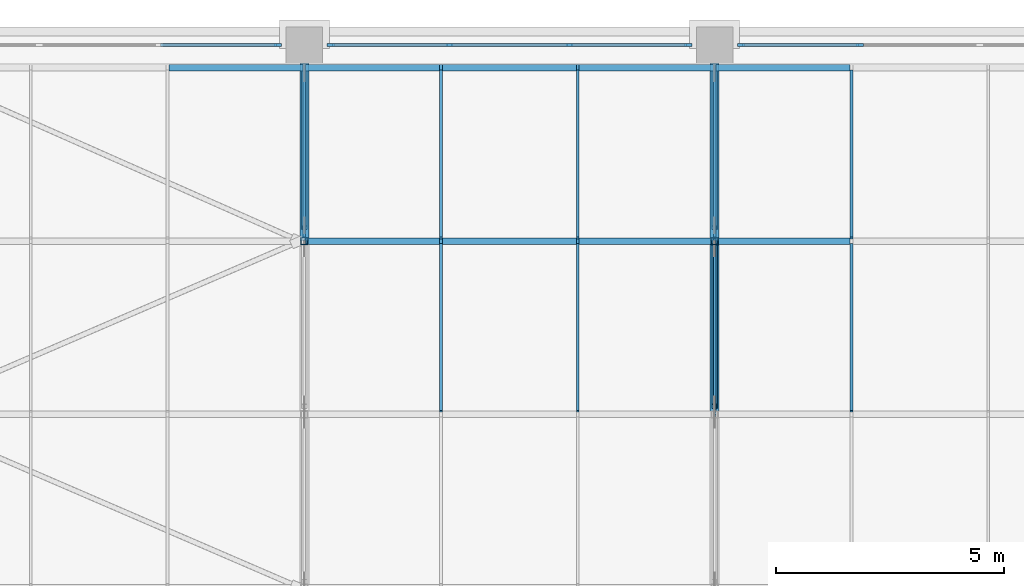
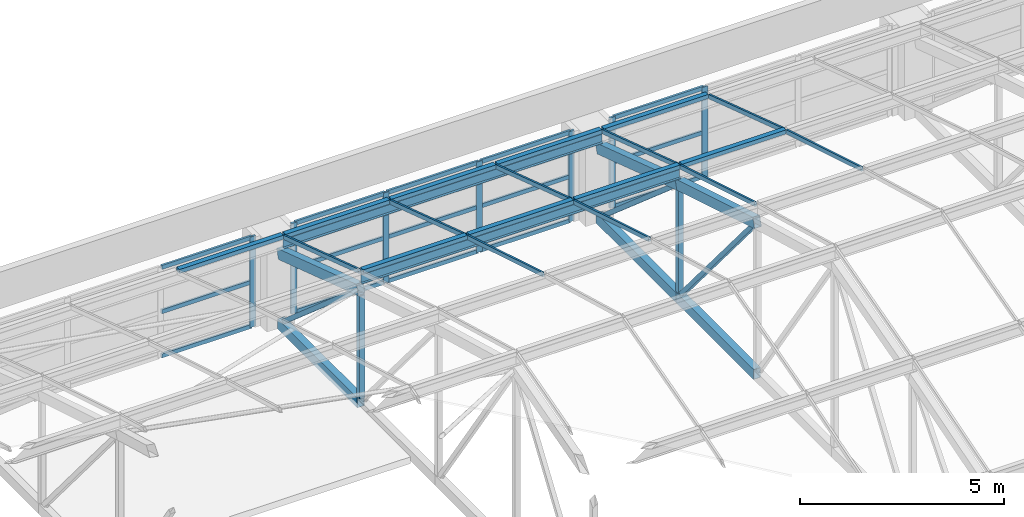
# One storey, part 20 of 82: 53 members, 4 elements without a shape of their own.
"""IFC4 building model written with IfcOpenShell, lengths in metres."""

from ifc_helpers import new_model, si_unit, direction, frame, origin, origin_2d, place, context, subcontext, project, spatial, rectangle, hollow_rectangle, i_section, extrude, material, material_profile, profile_set, type_object, element, aggregate, save


model = new_model("IFC4")

# Units and contexts
model_context = context("Model", 3, precision=1e-05, world=origin(), true_north=direction((0.0, 1.0)))
body_context = subcontext(model_context, "Body", "Model", "MODEL_VIEW")
ifc_project = project(units=[si_unit("LENGTHUNIT", "METRE"), si_unit("AREAUNIT", "SQUARE_METRE"), si_unit("VOLUMEUNIT", "CUBIC_METRE"), si_unit("PLANEANGLEUNIT", "RADIAN"), si_unit("MASSUNIT", "GRAM", prefix="KILO")], contexts=[model_context])

# Site, building, storey
site_placement = place(None, origin())
site = spatial("IfcSite", under=ifc_project, at=site_placement, CompositionType="ELEMENT")
building_placement = place(site_placement, origin())
building = spatial("IfcBuilding", under=site, at=building_placement, Name="Aravalli Gate Trade Fair Centre", CompositionType="ELEMENT")
storey_placement = place(building_placement, frame((0.0, 0.0, 19.199951171875)))
storey = spatial("IfcBuildingStorey", under=building, at=storey_placement, Name="L04", CompositionType="ELEMENT", Elevation=19.199951171875)

# Curtain wall, member
ifc_material_1 = material(Name="Aluminium and glass", Category="aluminium")
curtain_wall_type_1 = type_object("IfcCurtainWallType", Name="Curtain wall 3000 module", PredefinedType="NOTDEFINED", material=ifc_material_1)
curtain_wall_1_placement = place(storey_placement, origin())
curtain_wall_1 = element("IfcCurtainWall", 1, at=curtain_wall_1_placement, inside=storey, type_object=curtain_wall_type_1, Name="Curtain wall north bay 8 L04", PredefinedType="NOTDEFINED")
ifc_material_2 = material(Name="Aluminium", Category="aluminium")
ifc_material_profile_1 = material_profile(ifc_material_2, rectangle(XDim=0.06005859375, YDim=0.159912109375, at=origin_2d()), Name="Concourse curtain wall mullion 60 x 160")
ifc_profile_set_1 = profile_set([ifc_material_profile_1], Name="Aluminium")
member_type_1 = type_object("IfcMemberType", Name="Concourse curtain wall mullion 60 x 160", PredefinedType="MULLION", material=ifc_profile_set_1)
member_1_placement = place(storey_placement, frame((77.419921875, 133.0, 0.0), z_axis=(0.0, 0.0, 1.0), x_axis=(0.0, 1.0, 0.0)))
member_1 = element("IfcMember", 2, at=member_1_placement, type_object=member_type_1, Name="CW1 mullion 4", PredefinedType="MULLION", context=body_context, shape_type="SweptSolid", body=[
    extrude(rectangle(XDim=0.06005859375, YDim=0.159912109375, at=origin_2d()), origin(), (0.0, 0.0, 1.0), 2.699951171875),
])

# Curtain wall, members
curtain_wall_2_placement = place(storey_placement, origin())
curtain_wall_2 = element("IfcCurtainWall", 3, at=curtain_wall_2_placement, inside=storey, type_object=curtain_wall_type_1, Name="Curtain wall north bay 9 L04", PredefinedType="NOTDEFINED")
member_2_placement = place(storey_placement, frame((78.580078125, 133.0, 0.0), z_axis=(0.0, 0.0, 1.0), x_axis=(0.0, 1.0, 0.0)))
member_2 = element("IfcMember", 4, at=member_2_placement, type_object=member_type_1, Name="CW1 mullion 1", PredefinedType="MULLION", context=body_context, shape_type="SweptSolid", body=[
    extrude(rectangle(XDim=0.06005859375, YDim=0.159912109375, at=origin_2d()), origin(), (0.0, 0.0, 1.0), 2.699951171875),
])
member_3_placement = place(storey_placement, frame((81.183349609375, 133.0, 0.0), z_axis=(0.0, 0.0, 1.0), x_axis=(0.0, 1.0, 0.0)))
member_3 = element("IfcMember", 5, at=member_3_placement, type_object=member_type_1, Name="CW1 mullion 2", PredefinedType="MULLION", context=body_context, shape_type="SweptSolid", body=[
    extrude(rectangle(XDim=0.06005859375, YDim=0.159912109375, at=origin_2d()), origin(), (0.0, 0.0, 1.0), 2.699951171875),
])
member_4_placement = place(storey_placement, frame((83.816650390625, 133.0, 0.0), z_axis=(0.0, 0.0, 1.0), x_axis=(0.0, 1.0, 0.0)))
member_4 = element("IfcMember", 6, at=member_4_placement, type_object=member_type_1, Name="CW1 mullion 3", PredefinedType="MULLION", context=body_context, shape_type="SweptSolid", body=[
    extrude(rectangle(XDim=0.06005859375, YDim=0.159912109375, at=origin_2d()), origin(), (0.0, 0.0, 1.0), 2.699951171875),
])
member_5_placement = place(storey_placement, frame((86.419921875, 133.0, 0.0), z_axis=(0.0, 0.0, 1.0), x_axis=(0.0, 1.0, 0.0)))
member_5 = element("IfcMember", 7, at=member_5_placement, type_object=member_type_1, Name="CW1 mullion 4", PredefinedType="MULLION", context=body_context, shape_type="SweptSolid", body=[
    extrude(rectangle(XDim=0.06005859375, YDim=0.159912109375, at=origin_2d()), origin(), (0.0, 0.0, 1.0), 2.699951171875),
])

curtain_wall_3_placement = place(storey_placement, origin())
curtain_wall_3 = element("IfcCurtainWall", 8, at=curtain_wall_3_placement, inside=storey, type_object=curtain_wall_type_1, Name="Curtain wall north bay 10 L04", PredefinedType="NOTDEFINED")
member_6_placement = place(storey_placement, frame((87.580078125, 133.0, 0.0), z_axis=(0.0, 0.0, 1.0), x_axis=(0.0, 1.0, 0.0)))
member_6 = element("IfcMember", 9, at=member_6_placement, type_object=member_type_1, Name="CW1 mullion 1", PredefinedType="MULLION", context=body_context, shape_type="SweptSolid", body=[
    extrude(rectangle(XDim=0.06005859375, YDim=0.159912109375, at=origin_2d()), origin(), (0.0, 0.0, 1.0), 2.699951171875),
])
member_7_placement = place(storey_placement, frame((90.183349609375, 133.0, 0.0), z_axis=(0.0, 0.0, 1.0), x_axis=(0.0, 1.0, 0.0)))
member_7 = element("IfcMember", 10, at=member_7_placement, type_object=member_type_1, Name="CW1 mullion 2", PredefinedType="MULLION", context=body_context, shape_type="SweptSolid", body=[
    extrude(rectangle(XDim=0.06005859375, YDim=0.159912109375, at=origin_2d()), origin(), (0.0, 0.0, 1.0), 2.699951171875),
])

# Member
ifc_material_profile_2 = material_profile(ifc_material_2, rectangle(XDim=0.06005859375, YDim=0.1201171875, at=origin_2d()), Name="Concourse curtain wall transom 60 x 120")
ifc_profile_set_2 = profile_set([ifc_material_profile_2], Name="Aluminium")
member_type_2 = type_object("IfcMemberType", Name="Concourse curtain wall transom 60 x 120", PredefinedType="USERDEFINED", material=ifc_profile_set_2)
member_8_placement = place(storey_placement, frame((74.8466796875, 133.0, 0.030029296875), z_axis=(1.0, 0.0, 0.0), x_axis=(0.0, 1.0, 0.0)))
member_8 = element("IfcMember", 11, at=member_8_placement, type_object=member_type_2, Name="CW1 transom 3.1", ObjectType="TRANSOM", PredefinedType="USERDEFINED", context=body_context, shape_type="SweptSolid", body=[
    extrude(rectangle(XDim=0.06005859375, YDim=0.1201171875, at=origin_2d()), origin(), (0.0, 0.0, 1.0), 2.543212890625),
])

member_9_placement = place(storey_placement, frame((74.8466796875, 133.0, 1.35009765625), z_axis=(1.0, 0.0, 0.0), x_axis=(0.0, 1.0, 0.0)))
member_9 = element("IfcMember", 12, at=member_9_placement, type_object=member_type_2, Name="CW1 transom 3.2", ObjectType="TRANSOM", PredefinedType="USERDEFINED", context=body_context, shape_type="SweptSolid", body=[
    extrude(rectangle(XDim=0.06005859375, YDim=0.1201171875, at=origin_2d()), origin(), (0.0, 0.0, 1.0), 2.543212890625),
])

member_10_placement = place(storey_placement, frame((74.8466796875, 133.0, 2.670166015625), z_axis=(1.0, 0.0, 0.0), x_axis=(0.0, 1.0, 0.0)))
member_10 = element("IfcMember", 13, at=member_10_placement, type_object=member_type_2, Name="CW1 transom 3.3", ObjectType="TRANSOM", PredefinedType="USERDEFINED", context=body_context, shape_type="SweptSolid", body=[
    extrude(rectangle(XDim=0.06005859375, YDim=0.1201171875, at=origin_2d()), origin(), (0.0, 0.0, 1.0), 2.543212890625),
])

aggregate(curtain_wall_1, [member_1, member_8, member_9, member_10])

member_11_placement = place(storey_placement, frame((78.610107421875, 133.0, 0.030029296875), z_axis=(1.0, 0.0, 0.0), x_axis=(0.0, 1.0, 0.0)))
member_11 = element("IfcMember", 14, at=member_11_placement, type_object=member_type_2, Name="CW1 transom 1.1", ObjectType="TRANSOM", PredefinedType="USERDEFINED", context=body_context, shape_type="SweptSolid", body=[
    extrude(rectangle(XDim=0.06005859375, YDim=0.1201171875, at=origin_2d()), origin(), (0.0, 0.0, 1.0), 2.543212890625),
])

member_12_placement = place(storey_placement, frame((78.610107421875, 133.0, 1.35009765625), z_axis=(1.0, 0.0, 0.0), x_axis=(0.0, 1.0, 0.0)))
member_12 = element("IfcMember", 15, at=member_12_placement, type_object=member_type_2, Name="CW1 transom 1.2", ObjectType="TRANSOM", PredefinedType="USERDEFINED", context=body_context, shape_type="SweptSolid", body=[
    extrude(rectangle(XDim=0.06005859375, YDim=0.1201171875, at=origin_2d()), origin(), (0.0, 0.0, 1.0), 2.543212890625),
])

member_13_placement = place(storey_placement, frame((78.610107421875, 133.0, 2.670166015625), z_axis=(1.0, 0.0, 0.0), x_axis=(0.0, 1.0, 0.0)))
member_13 = element("IfcMember", 16, at=member_13_placement, type_object=member_type_2, Name="CW1 transom 1.3", ObjectType="TRANSOM", PredefinedType="USERDEFINED", context=body_context, shape_type="SweptSolid", body=[
    extrude(rectangle(XDim=0.06005859375, YDim=0.1201171875, at=origin_2d()), origin(), (0.0, 0.0, 1.0), 2.543212890625),
])

member_14_placement = place(storey_placement, frame((81.21337890625, 133.0, 0.030029296875), z_axis=(1.0, 0.0, 0.0), x_axis=(0.0, 1.0, 0.0)))
member_14 = element("IfcMember", 17, at=member_14_placement, type_object=member_type_2, Name="CW1 transom 2.1", ObjectType="TRANSOM", PredefinedType="USERDEFINED", context=body_context, shape_type="SweptSolid", body=[
    extrude(rectangle(XDim=0.06005859375, YDim=0.1201171875, at=origin_2d()), origin(), (0.0, 0.0, 1.0), 2.5732421875),
])

member_15_placement = place(storey_placement, frame((81.21337890625, 133.0, 1.35009765625), z_axis=(1.0, 0.0, 0.0), x_axis=(0.0, 1.0, 0.0)))
member_15 = element("IfcMember", 18, at=member_15_placement, type_object=member_type_2, Name="CW1 transom 2.2", ObjectType="TRANSOM", PredefinedType="USERDEFINED", context=body_context, shape_type="SweptSolid", body=[
    extrude(rectangle(XDim=0.06005859375, YDim=0.1201171875, at=origin_2d()), origin(), (0.0, 0.0, 1.0), 2.5732421875),
])

member_16_placement = place(storey_placement, frame((81.21337890625, 133.0, 2.670166015625), z_axis=(1.0, 0.0, 0.0), x_axis=(0.0, 1.0, 0.0)))
member_16 = element("IfcMember", 19, at=member_16_placement, type_object=member_type_2, Name="CW1 transom 2.3", ObjectType="TRANSOM", PredefinedType="USERDEFINED", context=body_context, shape_type="SweptSolid", body=[
    extrude(rectangle(XDim=0.06005859375, YDim=0.1201171875, at=origin_2d()), origin(), (0.0, 0.0, 1.0), 2.5732421875),
])

member_17_placement = place(storey_placement, frame((83.8466796875, 133.0, 0.030029296875), z_axis=(1.0, 0.0, 0.0), x_axis=(0.0, 1.0, 0.0)))
member_17 = element("IfcMember", 20, at=member_17_placement, type_object=member_type_2, Name="CW1 transom 3.1", ObjectType="TRANSOM", PredefinedType="USERDEFINED", context=body_context, shape_type="SweptSolid", body=[
    extrude(rectangle(XDim=0.06005859375, YDim=0.1201171875, at=origin_2d()), origin(), (0.0, 0.0, 1.0), 2.543212890625),
])

member_18_placement = place(storey_placement, frame((83.8466796875, 133.0, 1.35009765625), z_axis=(1.0, 0.0, 0.0), x_axis=(0.0, 1.0, 0.0)))
member_18 = element("IfcMember", 21, at=member_18_placement, type_object=member_type_2, Name="CW1 transom 3.2", ObjectType="TRANSOM", PredefinedType="USERDEFINED", context=body_context, shape_type="SweptSolid", body=[
    extrude(rectangle(XDim=0.06005859375, YDim=0.1201171875, at=origin_2d()), origin(), (0.0, 0.0, 1.0), 2.543212890625),
])

member_19_placement = place(storey_placement, frame((83.8466796875, 133.0, 2.670166015625), z_axis=(1.0, 0.0, 0.0), x_axis=(0.0, 1.0, 0.0)))
member_19 = element("IfcMember", 22, at=member_19_placement, type_object=member_type_2, Name="CW1 transom 3.3", ObjectType="TRANSOM", PredefinedType="USERDEFINED", context=body_context, shape_type="SweptSolid", body=[
    extrude(rectangle(XDim=0.06005859375, YDim=0.1201171875, at=origin_2d()), origin(), (0.0, 0.0, 1.0), 2.543212890625),
])

aggregate(curtain_wall_2, [member_2, member_3, member_4, member_5, member_11, member_12, member_13, member_14, member_15, member_16, member_17, member_18, member_19])

member_20_placement = place(storey_placement, frame((87.610107421875, 133.0, 0.030029296875), z_axis=(1.0, 0.0, 0.0), x_axis=(0.0, 1.0, 0.0)))
member_20 = element("IfcMember", 23, at=member_20_placement, type_object=member_type_2, Name="CW1 transom 1.1", ObjectType="TRANSOM", PredefinedType="USERDEFINED", context=body_context, shape_type="SweptSolid", body=[
    extrude(rectangle(XDim=0.06005859375, YDim=0.1201171875, at=origin_2d()), origin(), (0.0, 0.0, 1.0), 2.543212890625),
])

member_21_placement = place(storey_placement, frame((87.610107421875, 133.0, 1.35009765625), z_axis=(1.0, 0.0, 0.0), x_axis=(0.0, 1.0, 0.0)))
member_21 = element("IfcMember", 24, at=member_21_placement, type_object=member_type_2, Name="CW1 transom 1.2", ObjectType="TRANSOM", PredefinedType="USERDEFINED", context=body_context, shape_type="SweptSolid", body=[
    extrude(rectangle(XDim=0.06005859375, YDim=0.1201171875, at=origin_2d()), origin(), (0.0, 0.0, 1.0), 2.543212890625),
])

member_22_placement = place(storey_placement, frame((87.610107421875, 133.0, 2.670166015625), z_axis=(1.0, 0.0, 0.0), x_axis=(0.0, 1.0, 0.0)))
member_22 = element("IfcMember", 25, at=member_22_placement, type_object=member_type_2, Name="CW1 transom 1.3", ObjectType="TRANSOM", PredefinedType="USERDEFINED", context=body_context, shape_type="SweptSolid", body=[
    extrude(rectangle(XDim=0.06005859375, YDim=0.1201171875, at=origin_2d()), origin(), (0.0, 0.0, 1.0), 2.543212890625),
])

aggregate(curtain_wall_3, [member_6, member_7, member_20, member_21, member_22])

# Members
ifc_material_3 = material(Name="Steel E350", Category="steel")
ifc_material_profile_3 = material_profile(ifc_material_3, i_section(OverallWidth=0.139892578125, OverallDepth=0.300048828125, WebThickness=0.0078125, FlangeThickness=0.01318359375, at=origin_2d()), Name="ISMB 300")
ifc_profile_set_3 = profile_set([ifc_material_profile_3], Name="Steel E350")
member_type_3 = type_object("IfcMemberType", Name="ISMB 300 roof purlin", PredefinedType="PURLIN", material=ifc_profile_set_3)
for number, where, z_axis, x_axis, name in (
    (26, (78.0, 128.699951171875, 3.851318359375), (1.0, 0.0, 0.0), (0.0, 1.0, 0.0), "Vault purlin 09-10 F5"),
    (27, (78.0, 132.5, 2.60302734375), (1.0, 0.0, 0.0), (0.0, 1.0, 0.0), "Vault purlin 09-10 F6"),
):
    element("IfcMember", number, at=place(storey_placement, frame(where, z_axis=z_axis, x_axis=x_axis)), inside=storey, type_object=member_type_3, Name=name, PredefinedType="PURLIN", context=body_context, shape_type="SweptSolid", body=[
        extrude(i_section(OverallWidth=0.139892578125, OverallDepth=0.300048828125, WebThickness=0.0078125, FlangeThickness=0.01318359375, at=origin_2d()), origin(), (0.0, 0.0, 1.0), 9.0),
    ])
ifc_material_profile_4 = material_profile(ifc_material_3, hollow_rectangle(XDim=0.199951171875, YDim=0.300048828125, WallThickness=0.011962890625, at=origin_2d()), Name="RHS 300x200x12")
ifc_profile_set_4 = profile_set([ifc_material_profile_4], Name="Steel E350")
member_type_4 = type_object("IfcMemberType", Name="RHS 300x200x12 CT1 truss chord", PredefinedType="CHORD", material=ifc_profile_set_4)
member_23_placement = place(storey_placement, frame((78.0, 128.699951171875, 3.522216796875), z_axis=(0.0, 0.949924628731, -0.312479118872), x_axis=(-1.0, 0.0, 0.0)))
element("IfcMember", 28, at=member_23_placement, inside=storey, type_object=member_type_4, Name="Concourse vault truss CT1 line 09 top chord T6", PredefinedType="CHORD", context=body_context, shape_type="SweptSolid", body=[
    extrude(hollow_rectangle(XDim=0.199951171875, YDim=0.300048828125, WallThickness=0.011962890625, at=origin_2d()), origin(), (0.0, 0.0, 1.0), 4.105712890625),
])
member_24_placement = place(storey_placement, frame((78.0, 128.699951171875, 0.150146484375), z_axis=(0.0, 1.0, 0.0), x_axis=(-1.0, 0.0, 0.0)))
element("IfcMember", 29, at=member_24_placement, inside=storey, type_object=member_type_4, Name="Concourse vault truss CT1 line 09 bottom chord B6", PredefinedType="CHORD", context=body_context, shape_type="SweptSolid", body=[
    extrude(hollow_rectangle(XDim=0.199951171875, YDim=0.300048828125, WallThickness=0.011962890625, at=origin_2d()), origin(), (0.0, 0.0, 1.0), 3.900146484375),
])
member_25_placement = place(storey_placement, frame((87.0, 124.89990234375, 4.67333984375), z_axis=(0.0, 0.957138110877, -0.289631898634), x_axis=(-1.0, 0.0, 0.0)))
element("IfcMember", 30, at=member_25_placement, inside=storey, type_object=member_type_4, Name="Concourse vault truss CT1 line 10 top chord T5", PredefinedType="CHORD", context=body_context, shape_type="SweptSolid", body=[
    extrude(hollow_rectangle(XDim=0.199951171875, YDim=0.300048828125, WallThickness=0.011962890625, at=origin_2d()), origin(), (0.0, 0.0, 1.0), 3.97021484375),
])
member_26_placement = place(storey_placement, frame((87.0, 124.89990234375, 0.150146484375), z_axis=(0.0, 1.0, 0.0), x_axis=(-1.0, 0.0, 0.0)))
element("IfcMember", 31, at=member_26_placement, inside=storey, type_object=member_type_4, Name="Concourse vault truss CT1 line 10 bottom chord B5", PredefinedType="CHORD", context=body_context, shape_type="SweptSolid", body=[
    extrude(hollow_rectangle(XDim=0.199951171875, YDim=0.300048828125, WallThickness=0.011962890625, at=origin_2d()), origin(), (0.0, 0.0, 1.0), 3.800048828125),
])
member_27_placement = place(storey_placement, frame((87.0, 128.699951171875, 3.522216796875), z_axis=(0.0, 0.949924628731, -0.312479118872), x_axis=(-1.0, 0.0, 0.0)))
element("IfcMember", 32, at=member_27_placement, inside=storey, type_object=member_type_4, Name="Concourse vault truss CT1 line 10 top chord T6", PredefinedType="CHORD", context=body_context, shape_type="SweptSolid", body=[
    extrude(hollow_rectangle(XDim=0.199951171875, YDim=0.300048828125, WallThickness=0.011962890625, at=origin_2d()), origin(), (0.0, 0.0, 1.0), 4.105712890625),
])
member_28_placement = place(storey_placement, frame((87.0, 128.699951171875, 0.150146484375), z_axis=(0.0, 1.0, 0.0), x_axis=(-1.0, 0.0, 0.0)))
element("IfcMember", 33, at=member_28_placement, inside=storey, type_object=member_type_4, Name="Concourse vault truss CT1 line 10 bottom chord B6", PredefinedType="CHORD", context=body_context, shape_type="SweptSolid", body=[
    extrude(hollow_rectangle(XDim=0.199951171875, YDim=0.300048828125, WallThickness=0.011962890625, at=origin_2d()), origin(), (0.0, 0.0, 1.0), 3.900146484375),
])
ifc_material_profile_5 = material_profile(ifc_material_3, hollow_rectangle(XDim=0.125, YDim=0.125, WallThickness=0.006103515625, at=origin_2d()), Name="SHS 125x125x6")
ifc_profile_set_5 = profile_set([ifc_material_profile_5], Name="Steel E350")
member_type_5 = type_object("IfcMemberType", Name="SHS 125x125x6 CT1 truss diagonal", PredefinedType="BRACE", material=ifc_profile_set_5)
member_29_placement = place(storey_placement, frame((78.0, 128.994873046875, 3.267333984375), z_axis=(0.0, 0.756430814482, -0.654073713661), x_axis=(-1.0, 0.0, 0.0)))
element("IfcMember", 34, at=member_29_placement, inside=storey, type_object=member_type_5, Name="Concourse vault truss CT1 line 09 diagonal D6", PredefinedType="BRACE", context=body_context, shape_type="SweptSolid", body=[
    extrude(hollow_rectangle(XDim=0.125, YDim=0.125, WallThickness=0.006103515625, at=origin_2d()), origin(), (0.0, 0.0, 1.0), 4.53662109375),
])
member_30_placement = place(storey_placement, frame((87.0, 125.076416015625, 4.463134765625), z_axis=(0.0, 0.643253159982, -0.765653558845), x_axis=(-1.0, 0.0, 0.0)))
element("IfcMember", 35, at=member_30_placement, inside=storey, type_object=member_type_5, Name="Concourse vault truss CT1 line 10 diagonal D5", PredefinedType="BRACE", context=body_context, shape_type="SweptSolid", body=[
    extrude(hollow_rectangle(XDim=0.125, YDim=0.125, WallThickness=0.006103515625, at=origin_2d()), origin(), (0.0, 0.0, 1.0), 5.437255859375),
])
member_31_placement = place(storey_placement, frame((87.0, 128.994873046875, 3.267333984375), z_axis=(0.0, 0.756430814482, -0.654073713661), x_axis=(-1.0, 0.0, 0.0)))
element("IfcMember", 36, at=member_31_placement, inside=storey, type_object=member_type_5, Name="Concourse vault truss CT1 line 10 diagonal D6", PredefinedType="BRACE", context=body_context, shape_type="SweptSolid", body=[
    extrude(hollow_rectangle(XDim=0.125, YDim=0.125, WallThickness=0.006103515625, at=origin_2d()), origin(), (0.0, 0.0, 1.0), 4.53662109375),
])
ifc_material_profile_6 = material_profile(ifc_material_3, hollow_rectangle(XDim=0.14990234375, YDim=0.14990234375, WallThickness=0.006103515625, at=origin_2d()), Name="SHS 150x150x6")
ifc_profile_set_6 = profile_set([ifc_material_profile_6], Name="Steel E350")
member_type_6 = type_object("IfcMemberType", Name="SHS 150x150x6 CT1 truss post", PredefinedType="POST", material=ifc_profile_set_6)
for number, where, z_axis, x_axis, name in (
    (37, (78.0, 128.699951171875, 0.300048828125), (0.0, 0.0, 1.0), (1.0, 0.0, 0.0), "Concourse vault truss CT1 line 09 post V5"),
    (38, (87.0, 128.699951171875, 0.300048828125), (0.0, 0.0, 1.0), (1.0, 0.0, 0.0), "Concourse vault truss CT1 line 10 post V5"),
):
    element("IfcMember", number, at=place(storey_placement, frame(where, z_axis=z_axis, x_axis=x_axis)), inside=storey, type_object=member_type_6, Name=name, PredefinedType="POST", context=body_context, shape_type="SweptSolid", body=[
        extrude(hollow_rectangle(XDim=0.14990234375, YDim=0.14990234375, WallThickness=0.006103515625, at=origin_2d()), origin(), (0.0, 0.0, 1.0), 3.064208984375),
    ])
ifc_material_profile_7 = material_profile(ifc_material_2, rectangle(XDim=0.139892578125, YDim=0.1201171875, at=origin_2d()), Name="Vault fold cap 140 x 120")
ifc_profile_set_7 = profile_set([ifc_material_profile_7], Name="Aluminium")
member_type_7 = type_object("IfcMemberType", Name="Vault fold cap 140 x 120", PredefinedType="USERDEFINED", material=ifc_profile_set_7)
for number, where, z_axis, x_axis, name in (
    (39, (75.030029296875, 132.5, 2.81298828125), (1.0, 0.0, 0.0), (0.0, 1.0, 0.0), "Vault fold cap w21.6"),
    (40, (78.030029296875, 128.699951171875, 4.061279296875), (1.0, 0.0, 0.0), (0.0, 1.0, 0.0), "Vault fold cap w22.5"),
    (41, (78.030029296875, 132.5, 2.81298828125), (1.0, 0.0, 0.0), (0.0, 1.0, 0.0), "Vault fold cap w22.6"),
    (42, (81.030029296875, 128.699951171875, 4.061279296875), (1.0, 0.0, 0.0), (0.0, 1.0, 0.0), "Vault fold cap w23.5"),
    (43, (81.030029296875, 132.5, 2.81298828125), (1.0, 0.0, 0.0), (0.0, 1.0, 0.0), "Vault fold cap w23.6"),
    (44, (84.030029296875, 128.699951171875, 4.061279296875), (1.0, 0.0, 0.0), (0.0, 1.0, 0.0), "Vault fold cap w24.5"),
    (45, (84.030029296875, 132.5, 2.81298828125), (1.0, 0.0, 0.0), (0.0, 1.0, 0.0), "Vault fold cap w24.6"),
    (46, (87.030029296875, 128.699951171875, 4.061279296875), (1.0, 0.0, 0.0), (0.0, 1.0, 0.0), "Vault fold cap w25.5"),
    (47, (87.030029296875, 132.5, 2.81298828125), (1.0, 0.0, 0.0), (0.0, 1.0, 0.0), "Vault fold cap w25.6"),
):
    element("IfcMember", number, at=place(storey_placement, frame(where, z_axis=z_axis, x_axis=x_axis)), inside=storey, type_object=member_type_7, Name=name, ObjectType="FOLD CAP", PredefinedType="USERDEFINED", context=body_context, shape_type="SweptSolid", body=[
        extrude(rectangle(XDim=0.139892578125, YDim=0.1201171875, at=origin_2d()), origin(), (0.0, 0.0, 1.0), 2.93994140625),
    ])

# Curtain wall, members
curtain_wall_type_2 = type_object("IfcCurtainWallType", Name="Vault curtain wall, sloped glazing", PredefinedType="NOTDEFINED", material=ifc_material_1)
curtain_wall_4_placement = place(storey_placement, origin())
curtain_wall_4 = element("IfcCurtainWall", 48, at=curtain_wall_4_placement, inside=storey, type_object=curtain_wall_type_2, Name="Vault curtain wall w", PredefinedType="NOTDEFINED")
ifc_material_profile_8 = material_profile(ifc_material_2, rectangle(XDim=0.06005859375, YDim=0.1201171875, at=origin_2d()), Name="Vault glazing bar 60 x 120")
ifc_profile_set_8 = profile_set([ifc_material_profile_8], Name="Aluminium")
member_type_8 = type_object("IfcMemberType", Name="Vault glazing bar 60 x 120", PredefinedType="USERDEFINED", material=ifc_profile_set_8)
member_32_placement = place(storey_placement, frame((78.0, 128.77001953125, 4.013916015625), z_axis=(0.0, 0.949930492103, -0.31246129388), x_axis=(-1.0, 0.0, 0.0)))
member_32 = element("IfcMember", 49, at=member_32_placement, type_object=member_type_8, Name="Vault glazing bar w22.6", ObjectType="GLAZING BAR", PredefinedType="USERDEFINED", context=body_context, shape_type="SweptSolid", body=[
    extrude(rectangle(XDim=0.06005859375, YDim=0.1201171875, at=origin_2d()), origin(), (0.0, 0.0, 1.0), 3.852783203125),
])
member_33_placement = place(storey_placement, frame((81.0, 124.969970703125, 5.166259765625), z_axis=(0.0, 0.957125834694, -0.289672464279), x_axis=(-1.0, 0.0, 0.0)))
member_33 = element("IfcMember", 50, at=member_33_placement, type_object=member_type_8, Name="Vault glazing bar w23.5", ObjectType="GLAZING BAR", PredefinedType="USERDEFINED", context=body_context, shape_type="SweptSolid", body=[
    extrude(rectangle(XDim=0.06005859375, YDim=0.1201171875, at=origin_2d()), origin(), (0.0, 0.0, 1.0), 3.823974609375),
])
member_34_placement = place(storey_placement, frame((81.0, 128.77001953125, 4.013916015625), z_axis=(0.0, 0.949930492103, -0.31246129388), x_axis=(-1.0, 0.0, 0.0)))
member_34 = element("IfcMember", 51, at=member_34_placement, type_object=member_type_8, Name="Vault glazing bar w23.6", ObjectType="GLAZING BAR", PredefinedType="USERDEFINED", context=body_context, shape_type="SweptSolid", body=[
    extrude(rectangle(XDim=0.06005859375, YDim=0.1201171875, at=origin_2d()), origin(), (0.0, 0.0, 1.0), 3.852783203125),
])
member_35_placement = place(storey_placement, frame((84.0, 124.969970703125, 5.166259765625), z_axis=(0.0, 0.957125834694, -0.289672464279), x_axis=(-1.0, 0.0, 0.0)))
member_35 = element("IfcMember", 52, at=member_35_placement, type_object=member_type_8, Name="Vault glazing bar w24.5", ObjectType="GLAZING BAR", PredefinedType="USERDEFINED", context=body_context, shape_type="SweptSolid", body=[
    extrude(rectangle(XDim=0.06005859375, YDim=0.1201171875, at=origin_2d()), origin(), (0.0, 0.0, 1.0), 3.823974609375),
])
member_36_placement = place(storey_placement, frame((84.0, 128.77001953125, 4.013916015625), z_axis=(0.0, 0.949930492103, -0.31246129388), x_axis=(-1.0, 0.0, 0.0)))
member_36 = element("IfcMember", 53, at=member_36_placement, type_object=member_type_8, Name="Vault glazing bar w24.6", ObjectType="GLAZING BAR", PredefinedType="USERDEFINED", context=body_context, shape_type="SweptSolid", body=[
    extrude(rectangle(XDim=0.06005859375, YDim=0.1201171875, at=origin_2d()), origin(), (0.0, 0.0, 1.0), 3.852783203125),
])
member_37_placement = place(storey_placement, frame((87.0, 124.969970703125, 5.166259765625), z_axis=(0.0, 0.957125834694, -0.289672464279), x_axis=(-1.0, 0.0, 0.0)))
member_37 = element("IfcMember", 54, at=member_37_placement, type_object=member_type_8, Name="Vault glazing bar w25.5", ObjectType="GLAZING BAR", PredefinedType="USERDEFINED", context=body_context, shape_type="SweptSolid", body=[
    extrude(rectangle(XDim=0.06005859375, YDim=0.1201171875, at=origin_2d()), origin(), (0.0, 0.0, 1.0), 3.823974609375),
])
member_38_placement = place(storey_placement, frame((87.0, 128.77001953125, 4.013916015625), z_axis=(0.0, 0.949930492103, -0.31246129388), x_axis=(-1.0, 0.0, 0.0)))
member_38 = element("IfcMember", 55, at=member_38_placement, type_object=member_type_8, Name="Vault glazing bar w25.6", ObjectType="GLAZING BAR", PredefinedType="USERDEFINED", context=body_context, shape_type="SweptSolid", body=[
    extrude(rectangle(XDim=0.06005859375, YDim=0.1201171875, at=origin_2d()), origin(), (0.0, 0.0, 1.0), 3.852783203125),
])
member_39_placement = place(storey_placement, frame((90.0, 124.969970703125, 5.166259765625), z_axis=(0.0, 0.957125834694, -0.289672464279), x_axis=(-1.0, 0.0, 0.0)))
member_39 = element("IfcMember", 56, at=member_39_placement, type_object=member_type_8, Name="Vault glazing bar w26.5", ObjectType="GLAZING BAR", PredefinedType="USERDEFINED", context=body_context, shape_type="SweptSolid", body=[
    extrude(rectangle(XDim=0.06005859375, YDim=0.1201171875, at=origin_2d()), origin(), (0.0, 0.0, 1.0), 3.823974609375),
])
member_40_placement = place(storey_placement, frame((90.0, 128.77001953125, 4.013916015625), z_axis=(0.0, 0.949930492103, -0.31246129388), x_axis=(-1.0, 0.0, 0.0)))
member_40 = element("IfcMember", 57, at=member_40_placement, type_object=member_type_8, Name="Vault glazing bar w26.6", ObjectType="GLAZING BAR", PredefinedType="USERDEFINED", context=body_context, shape_type="SweptSolid", body=[
    extrude(rectangle(XDim=0.06005859375, YDim=0.1201171875, at=origin_2d()), origin(), (0.0, 0.0, 1.0), 3.852783203125),
])
aggregate(curtain_wall_4, [member_32, member_33, member_34, member_35, member_36, member_37, member_38, member_39, member_40])

save(model, "model.ifc")
